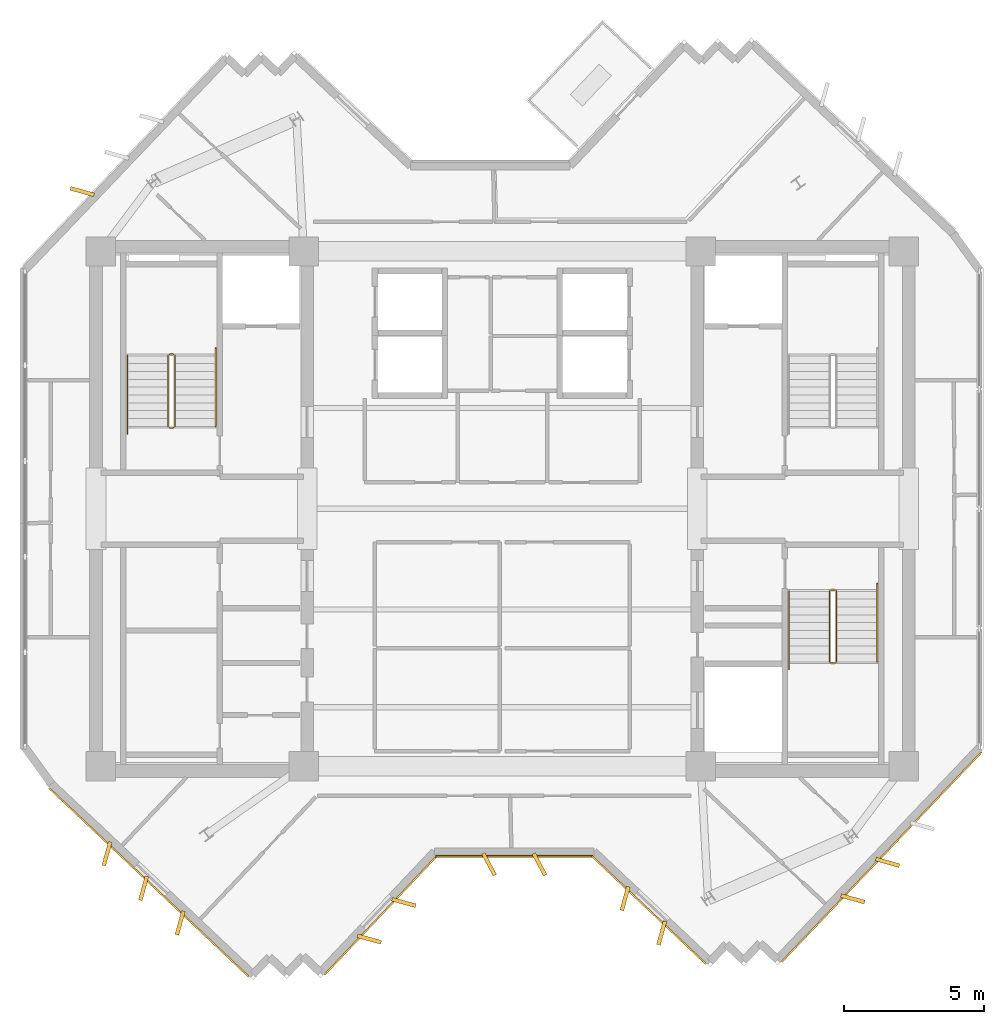
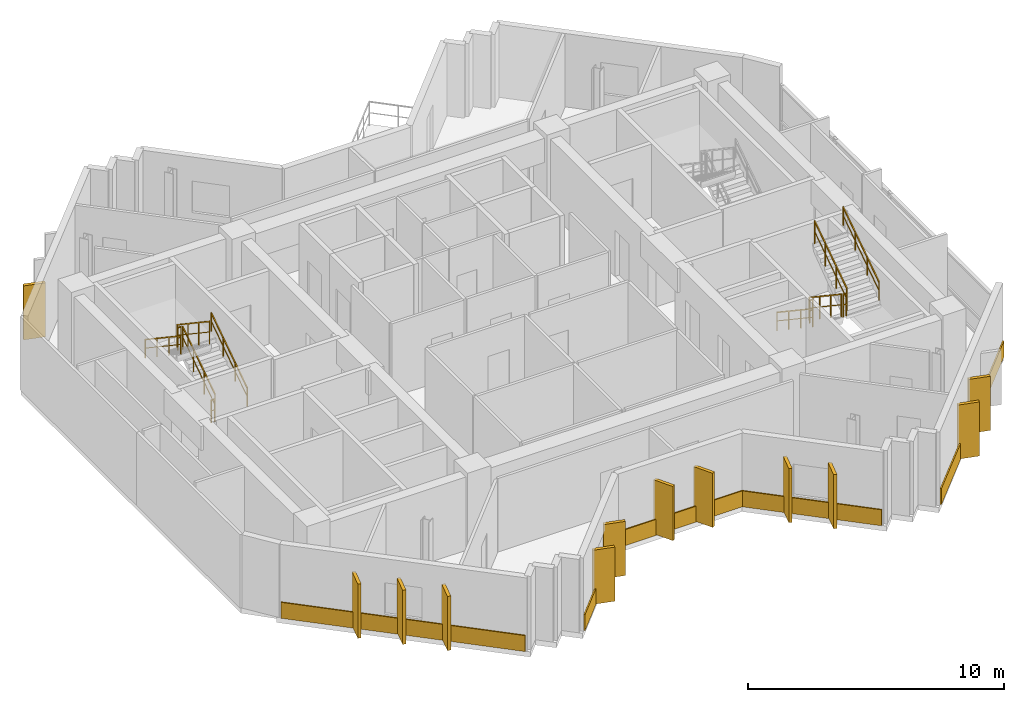
# One storey, part 8 of 9: 17 coverings, 12 railings.
"""IFC4 building model written with IfcOpenShell, lengths in metres."""

from ifc_helpers import new_model, si_unit, direction, frame, origin, origin_2d, place, context, subcontext, project, spatial, rectangle, extrude, source, transform, mapped, material, layer, layer_set, type_object, element, save


model = new_model("IFC4")

# Units and contexts
model_context = context("Model", 3, precision=1e-05, world=origin(), true_north=direction((0.0, 1.0)))
body_context = subcontext(model_context, "Body", "Model", "MODEL_VIEW")
ifc_project = project(units=[si_unit("LENGTHUNIT", "METRE"), si_unit("AREAUNIT", "SQUARE_METRE"), si_unit("VOLUMEUNIT", "CUBIC_METRE"), si_unit("PLANEANGLEUNIT", "RADIAN"), si_unit("MASSUNIT", "GRAM", prefix="KILO")], contexts=[model_context])

# Site, building, storey
site_placement = place(None, origin())
site = spatial("IfcSite", under=ifc_project, at=site_placement, CompositionType="ELEMENT")
building_placement = place(site_placement, origin())
building = spatial("IfcBuilding", under=site, at=building_placement, Name="Zahravan Cultural Tower", CompositionType="ELEMENT")
storey_placement = place(building_placement, frame((0.0, 0.0, 302.85009765625)))
storey = spatial("IfcBuildingStorey", under=building, at=storey_placement, Name="L73", CompositionType="ELEMENT", Elevation=302.85009765625)

# Railings
ifc_material_1 = material(Name="Steel ASTM A572 Grade 50", Category="steel")
railing_type_1 = type_object("IfcRailingType", Name="RL-STAIR-GRD1150", PredefinedType="BALUSTRADE", material=ifc_material_1)
railing_1_placement = place(storey_placement, frame((24.300048828125, 29.949951171875, 0.1875)))
element("IfcRailing", 1, at=railing_1_placement, inside=storey, type_object=railing_type_1, Name="L73 ST-W1 stair guard 1", PredefinedType="BALUSTRADE", context=body_context, shape_type="SweptSolid", body=[
    extrude(rectangle(XDim=0.05, YDim=0.05, at=origin_2d()), frame((0.0, 0.0, 1.0751953125), z_axis=(0.0, 0.830909170722, 0.55640807867), x_axis=(-1.0, 0.0, 0.0)), (0.0, 0.0, 1.0), 3.032958984375),
    extrude(rectangle(XDim=0.032, YDim=0.032, at=origin_2d()), frame((0.0, 0.0, 0.572021484375), z_axis=(0.0, 0.830909170722, 0.55640807867), x_axis=(-1.0, 0.0, 0.0)), (0.0, 0.0, 1.0), 3.032958984375),
    extrude(rectangle(XDim=0.04, YDim=0.04, at=origin_2d()), origin(), (0.0, 0.0, 1.0), 1.10009765625),
    extrude(rectangle(XDim=0.04, YDim=0.04, at=origin_2d()), frame((0.0, 0.840087890625, 0.5625)), (0.0, 0.0, 1.0), 1.10009765625),
    extrude(rectangle(XDim=0.04, YDim=0.04, at=origin_2d()), frame((0.0, 1.679931640625, 1.125)), (0.0, 0.0, 1.0), 1.10009765625),
    extrude(rectangle(XDim=0.04, YDim=0.04, at=origin_2d()), frame((0.0, 2.52001953125, 1.6875)), (0.0, 0.0, 1.0), 1.10009765625),
])
railing_2_placement = place(storey_placement, frame((24.25, 32.52001953125, 1.875)))
element("IfcRailing", 2, at=railing_2_placement, inside=storey, type_object=railing_type_1, Name="L73 ST-W1 stair guard 2", PredefinedType="BALUSTRADE", context=body_context, shape_type="SweptSolid", body=[
    extrude(rectangle(XDim=0.05, YDim=0.05, at=origin_2d()), frame((0.0, 0.0, 1.0751953125), z_axis=(-1.0, 0.0, 0.0), x_axis=(0.0, -1.0, 0.0)), (0.0, 0.0, 1.0), 0.14990234375),
    extrude(rectangle(XDim=0.032, YDim=0.032, at=origin_2d()), frame((0.0, 0.0, 0.572021484375), z_axis=(-1.0, 0.0, 0.0), x_axis=(0.0, -1.0, 0.0)), (0.0, 0.0, 1.0), 0.14990234375),
    extrude(rectangle(XDim=0.04, YDim=0.04, at=origin_2d()), origin(), (0.0, 0.0, 1.0), 1.10009765625),
    extrude(rectangle(XDim=0.04, YDim=0.04, at=origin_2d()), frame((-0.14990234375, 0.0, 0.0)), (0.0, 0.0, 1.0), 1.10009765625),
])
railing_3_placement = place(storey_placement, frame((24.050048828125, 32.469970703125, 2.0625)))
element("IfcRailing", 3, at=railing_3_placement, inside=storey, type_object=railing_type_1, Name="L73 ST-W1 stair guard 3", PredefinedType="BALUSTRADE", context=body_context, shape_type="SweptSolid", body=[
    extrude(rectangle(XDim=0.05, YDim=0.05, at=origin_2d()), frame((0.0, 0.0, 1.0751953125), z_axis=(0.0, -0.830909170722, 0.55640807867), x_axis=(1.0, 0.0, 0.0)), (0.0, 0.0, 1.0), 3.032958984375),
    extrude(rectangle(XDim=0.032, YDim=0.032, at=origin_2d()), frame((0.0, 0.0, 0.572021484375), z_axis=(0.0, -0.830909170722, 0.55640807867), x_axis=(1.0, 0.0, 0.0)), (0.0, 0.0, 1.0), 3.032958984375),
    extrude(rectangle(XDim=0.04, YDim=0.04, at=origin_2d()), origin(), (0.0, 0.0, 1.0), 1.10009765625),
    extrude(rectangle(XDim=0.04, YDim=0.04, at=origin_2d()), frame((0.0, -0.840087890625, 0.5625)), (0.0, 0.0, 1.0), 1.10009765625),
    extrude(rectangle(XDim=0.04, YDim=0.04, at=origin_2d()), frame((0.0, -1.679931640625, 1.125)), (0.0, 0.0, 1.0), 1.10009765625),
    extrude(rectangle(XDim=0.04, YDim=0.04, at=origin_2d()), frame((0.0, -2.52001953125, 1.6875)), (0.0, 0.0, 1.0), 1.10009765625),
])
railing_4_placement = place(storey_placement, frame((24.25, 29.89990234375, 0.0)))
element("IfcRailing", 4, at=railing_4_placement, inside=storey, type_object=railing_type_1, Name="L73 ST-W1 stair guard 4", PredefinedType="BALUSTRADE", context=body_context, shape_type="SweptSolid", body=[
    extrude(rectangle(XDim=0.05, YDim=0.05, at=origin_2d()), frame((0.0, 0.0, 1.0751953125), z_axis=(-1.0, 0.0, 0.0), x_axis=(0.0, -1.0, 0.0)), (0.0, 0.0, 1.0), 0.14990234375),
    extrude(rectangle(XDim=0.032, YDim=0.032, at=origin_2d()), frame((0.0, 0.0, 0.572021484375), z_axis=(-1.0, 0.0, 0.0), x_axis=(0.0, -1.0, 0.0)), (0.0, 0.0, 1.0), 0.14990234375),
    extrude(rectangle(XDim=0.04, YDim=0.04, at=origin_2d()), origin(), (0.0, 0.0, 1.0), 1.10009765625),
    extrude(rectangle(XDim=0.04, YDim=0.04, at=origin_2d()), frame((-0.14990234375, 0.0, 0.0)), (0.0, 0.0, 1.0), 1.10009765625),
])
railing_5_placement = place(storey_placement, frame((47.699951171875, 24.050048828125, 0.1875)))
element("IfcRailing", 5, at=railing_5_placement, inside=storey, type_object=railing_type_1, Name="L73 ST-E2 stair guard 1", PredefinedType="BALUSTRADE", context=body_context, shape_type="SweptSolid", body=[
    extrude(rectangle(XDim=0.05, YDim=0.05, at=origin_2d()), frame((0.0, 0.0, 1.0751953125), z_axis=(0.0, -0.830909170722, 0.55640807867), x_axis=(1.0, 0.0, 0.0)), (0.0, 0.0, 1.0), 3.032958984375),
    extrude(rectangle(XDim=0.032, YDim=0.032, at=origin_2d()), frame((0.0, 0.0, 0.572021484375), z_axis=(0.0, -0.830909170722, 0.55640807867), x_axis=(1.0, 0.0, 0.0)), (0.0, 0.0, 1.0), 3.032958984375),
    extrude(rectangle(XDim=0.04, YDim=0.04, at=origin_2d()), origin(), (0.0, 0.0, 1.0), 1.10009765625),
    extrude(rectangle(XDim=0.04, YDim=0.04, at=origin_2d()), frame((0.0, -0.840087890625, 0.5625)), (0.0, 0.0, 1.0), 1.10009765625),
    extrude(rectangle(XDim=0.04, YDim=0.04, at=origin_2d()), frame((0.0, -1.679931640625, 1.125)), (0.0, 0.0, 1.0), 1.10009765625),
    extrude(rectangle(XDim=0.04, YDim=0.04, at=origin_2d()), frame((0.0, -2.52001953125, 1.6875)), (0.0, 0.0, 1.0), 1.10009765625),
])
railing_6_placement = place(storey_placement, frame((47.75, 21.47998046875, 1.875)))
element("IfcRailing", 6, at=railing_6_placement, inside=storey, type_object=railing_type_1, Name="L73 ST-E2 stair guard 2", PredefinedType="BALUSTRADE", context=body_context, shape_type="SweptSolid", body=[
    extrude(rectangle(XDim=0.05, YDim=0.05, at=origin_2d()), frame((0.0, 0.0, 1.0751953125), z_axis=(1.0, 0.0, 0.0), x_axis=(0.0, 1.0, 0.0)), (0.0, 0.0, 1.0), 0.14990234375),
    extrude(rectangle(XDim=0.032, YDim=0.032, at=origin_2d()), frame((0.0, 0.0, 0.572021484375), z_axis=(1.0, 0.0, 0.0), x_axis=(0.0, 1.0, 0.0)), (0.0, 0.0, 1.0), 0.14990234375),
    extrude(rectangle(XDim=0.04, YDim=0.04, at=origin_2d()), origin(), (0.0, 0.0, 1.0), 1.10009765625),
    extrude(rectangle(XDim=0.04, YDim=0.04, at=origin_2d()), frame((0.14990234375, 0.0, 0.0)), (0.0, 0.0, 1.0), 1.10009765625),
])
railing_7_placement = place(storey_placement, frame((47.949951171875, 21.530029296875, 2.0625)))
element("IfcRailing", 7, at=railing_7_placement, inside=storey, type_object=railing_type_1, Name="L73 ST-E2 stair guard 3", PredefinedType="BALUSTRADE", context=body_context, shape_type="SweptSolid", body=[
    extrude(rectangle(XDim=0.05, YDim=0.05, at=origin_2d()), frame((0.0, 0.0, 1.0751953125), z_axis=(0.0, 0.830909170722, 0.55640807867), x_axis=(-1.0, 0.0, 0.0)), (0.0, 0.0, 1.0), 3.032958984375),
    extrude(rectangle(XDim=0.032, YDim=0.032, at=origin_2d()), frame((0.0, 0.0, 0.572021484375), z_axis=(0.0, 0.830909170722, 0.55640807867), x_axis=(-1.0, 0.0, 0.0)), (0.0, 0.0, 1.0), 3.032958984375),
    extrude(rectangle(XDim=0.04, YDim=0.04, at=origin_2d()), origin(), (0.0, 0.0, 1.0), 1.10009765625),
    extrude(rectangle(XDim=0.04, YDim=0.04, at=origin_2d()), frame((0.0, 0.840087890625, 0.5625)), (0.0, 0.0, 1.0), 1.10009765625),
    extrude(rectangle(XDim=0.04, YDim=0.04, at=origin_2d()), frame((0.0, 1.679931640625, 1.125)), (0.0, 0.0, 1.0), 1.10009765625),
    extrude(rectangle(XDim=0.04, YDim=0.04, at=origin_2d()), frame((0.0, 2.52001953125, 1.6875)), (0.0, 0.0, 1.0), 1.10009765625),
])
railing_8_placement = place(storey_placement, frame((47.75, 24.10009765625, 0.0)))
element("IfcRailing", 8, at=railing_8_placement, inside=storey, type_object=railing_type_1, Name="L73 ST-E2 stair guard 4", PredefinedType="BALUSTRADE", context=body_context, shape_type="SweptSolid", body=[
    extrude(rectangle(XDim=0.05, YDim=0.05, at=origin_2d()), frame((0.0, 0.0, 1.0751953125), z_axis=(1.0, 0.0, 0.0), x_axis=(0.0, 1.0, 0.0)), (0.0, 0.0, 1.0), 0.14990234375),
    extrude(rectangle(XDim=0.032, YDim=0.032, at=origin_2d()), frame((0.0, 0.0, 0.572021484375), z_axis=(1.0, 0.0, 0.0), x_axis=(0.0, 1.0, 0.0)), (0.0, 0.0, 1.0), 0.14990234375),
    extrude(rectangle(XDim=0.04, YDim=0.04, at=origin_2d()), origin(), (0.0, 0.0, 1.0), 1.10009765625),
    extrude(rectangle(XDim=0.04, YDim=0.04, at=origin_2d()), frame((0.14990234375, 0.0, 0.0)), (0.0, 0.0, 1.0), 1.10009765625),
])
railing_type_2 = type_object("IfcRailingType", Name="RL-STAIR-HR900", PredefinedType="HANDRAIL", material=ifc_material_1)
railing_9_placement = place(storey_placement, frame((25.75, 29.949951171875, 0.1875)))
element("IfcRailing", 9, at=railing_9_placement, inside=storey, type_object=railing_type_2, Name="L73 ST-W1 stair handrail 1", PredefinedType="HANDRAIL", context=body_context, shape_type="SweptSolid", body=[
    extrude(rectangle(XDim=0.05, YDim=0.05, at=origin_2d()), frame((0.0, 0.0, 0.875), z_axis=(0.0, 0.830911662861, 0.55640435703), x_axis=(-1.0, 0.0, 0.0)), (0.0, 0.0, 1.0), 3.369873046875),
    extrude(rectangle(XDim=0.032, YDim=0.032, at=origin_2d()), frame((0.0, 0.0, 0.468017578125), z_axis=(0.0, 0.830911662861, 0.55640435703), x_axis=(-1.0, 0.0, 0.0)), (0.0, 0.0, 1.0), 3.369873046875),
    extrude(rectangle(XDim=0.04, YDim=0.04, at=origin_2d()), origin(), (0.0, 0.0, 1.0), 0.89990234375),
    extrude(rectangle(XDim=0.04, YDim=0.04, at=origin_2d()), frame((0.0, 0.933349609375, 0.625)), (0.0, 0.0, 1.0), 0.89990234375),
    extrude(rectangle(XDim=0.04, YDim=0.04, at=origin_2d()), frame((0.0, 1.86669921875, 1.25)), (0.0, 0.0, 1.0), 0.89990234375),
    extrude(rectangle(XDim=0.04, YDim=0.04, at=origin_2d()), frame((0.0, 2.800048828125, 1.875)), (0.0, 0.0, 1.0), 0.89990234375),
])
for number, where, name in (
    (10, (22.60009765625, 32.469970703125, 2.0625), "L73 ST-W1 stair handrail 2"),
    (11, (46.25, 24.050048828125, 0.1875), "L73 ST-E2 stair handrail 1"),
):
    element("IfcRailing", number, at=place(storey_placement, frame(where)), inside=storey, type_object=railing_type_2, Name=name, PredefinedType="HANDRAIL", context=body_context, shape_type="SweptSolid", body=[
        extrude(rectangle(XDim=0.05, YDim=0.05, at=origin_2d()), frame((0.0, 0.0, 0.875), z_axis=(0.0, -0.830911662861, 0.55640435703), x_axis=(1.0, 0.0, 0.0)), (0.0, 0.0, 1.0), 3.369873046875),
        extrude(rectangle(XDim=0.032, YDim=0.032, at=origin_2d()), frame((0.0, 0.0, 0.468017578125), z_axis=(0.0, -0.830911662861, 0.55640435703), x_axis=(1.0, 0.0, 0.0)), (0.0, 0.0, 1.0), 3.369873046875),
        extrude(rectangle(XDim=0.04, YDim=0.04, at=origin_2d()), origin(), (0.0, 0.0, 1.0), 0.89990234375),
        extrude(rectangle(XDim=0.04, YDim=0.04, at=origin_2d()), frame((0.0, -0.933349609375, 0.625)), (0.0, 0.0, 1.0), 0.89990234375),
        extrude(rectangle(XDim=0.04, YDim=0.04, at=origin_2d()), frame((0.0, -1.86669921875, 1.25)), (0.0, 0.0, 1.0), 0.89990234375),
        extrude(rectangle(XDim=0.04, YDim=0.04, at=origin_2d()), frame((0.0, -2.800048828125, 1.875)), (0.0, 0.0, 1.0), 0.89990234375),
    ])
railing_10_placement = place(storey_placement, frame((49.39990234375, 21.530029296875, 2.0625)))
element("IfcRailing", 12, at=railing_10_placement, inside=storey, type_object=railing_type_2, Name="L73 ST-E2 stair handrail 2", PredefinedType="HANDRAIL", context=body_context, shape_type="SweptSolid", body=[
    extrude(rectangle(XDim=0.05, YDim=0.05, at=origin_2d()), frame((0.0, 0.0, 0.875), z_axis=(0.0, 0.830911662861, 0.55640435703), x_axis=(-1.0, 0.0, 0.0)), (0.0, 0.0, 1.0), 3.369873046875),
    extrude(rectangle(XDim=0.032, YDim=0.032, at=origin_2d()), frame((0.0, 0.0, 0.468017578125), z_axis=(0.0, 0.830911662861, 0.55640435703), x_axis=(-1.0, 0.0, 0.0)), (0.0, 0.0, 1.0), 3.369873046875),
    extrude(rectangle(XDim=0.04, YDim=0.04, at=origin_2d()), origin(), (0.0, 0.0, 1.0), 0.89990234375),
    extrude(rectangle(XDim=0.04, YDim=0.04, at=origin_2d()), frame((0.0, 0.933349609375, 0.625)), (0.0, 0.0, 1.0), 0.89990234375),
    extrude(rectangle(XDim=0.04, YDim=0.04, at=origin_2d()), frame((0.0, 1.86669921875, 1.25)), (0.0, 0.0, 1.0), 0.89990234375),
    extrude(rectangle(XDim=0.04, YDim=0.04, at=origin_2d()), frame((0.0, 2.800048828125, 1.875)), (0.0, 0.0, 1.0), 0.89990234375),
])

# Coverings
ifc_material_2 = material(Name="Terracotta ceramic cladding", Category="masonry")
ifc_layer = layer(ifc_material_2, 0.06005859375)
ifc_layer_set = layer_set([ifc_layer], Name="Terracotta ceramic cladding")
covering_type = type_object("IfcCoveringType", Name="COV-CLAD-TC60", PredefinedType="CLADDING", material=ifc_layer_set)
shared_shape_1 = source(origin(), body_context, "Body", "SweptSolid", [
    extrude(rectangle(XDim=9.820068359375, YDim=0.06005859375, at=origin_2d()), origin(), (0.0, 0.0, 1.0), 0.760009765625),
])
covering_1_placement = place(storey_placement, frame((23.371826171875, 13.63818359375, 0.02001953125), z_axis=(0.0, 0.0, 1.0), x_axis=(-0.726766513668, 0.686884586092, 0.0)))
element("IfcCovering", 13, at=covering_1_placement, inside=storey, type_object=covering_type, Name="L73 Terracotta Spandrel Cladding 20", PredefinedType="CLADDING", context=body_context, shape_type="MappedRepresentation", body=[
    mapped(shared_shape_1, transform((0.0, 0.0, 0.0), x_axis=(1.0, 0.0, 0.0), y_axis=(0.0, 1.0, 0.0), z_axis=(0.0, 0.0, 1.0), scale=1.0)),
])
shared_shape_2 = source(origin(), body_context, "Body", "SweptSolid", [
    extrude(rectangle(XDim=0.8798828125, YDim=0.139892578125, at=origin_2d()), origin(), (0.0, 0.0, 1.0), 2.580078125),
])
for number, where, z_axis, x_axis, name in (
    (14, (49.773193359375, 14.358642578125, 0.0498046875), (0.0, 0.0, 1.0), (0.962998113332, -0.269508132935, 0.0), "L73 Herringbone Terracotta Fin 05"),
    (15, (48.531005859375, 13.055908203125, 0.0498046875), (0.0, 0.0, 1.0), (0.962998113332, -0.269508132935, 0.0), "L73 Herringbone Terracotta Fin 06"),
    (16, (41.698974609375, 11.8310546875, 0.0498046875), (0.0, 0.0, 1.0), (-0.26528688091, -0.9641695239, 0.0), "L73 Herringbone Terracotta Fin 07"),
    (17, (40.390625, 13.0673828125, 0.0498046875), (0.0, 0.0, 1.0), (-0.26528688091, -0.9641695239, 0.0), "L73 Herringbone Terracotta Fin 08"),
    (18, (37.326416015625, 14.2900390625, 0.0498046875), (0.0, 0.0, 1.0), (0.469471562786, -0.882947592859, 0.0), "L73 Herringbone Terracotta Fin 09"),
    (19, (35.5263671875, 14.2900390625, 0.0498046875), (0.0, 0.0, 1.0), (0.469471562786, -0.882947592859, 0.0), "L73 Herringbone Terracotta Fin 10"),
    (20, (32.480224609375, 12.924560546875, 0.0498046875), (0.0, 0.0, 1.0), (0.964174153882, -0.265270052937, 0.0), "L73 Herringbone Terracotta Fin 11"),
    (21, (31.243896484375, 11.616455078125, 0.0498046875), (0.0, 0.0, 1.0), (0.964174153882, -0.265270052937, 0.0), "L73 Herringbone Terracotta Fin 12"),
    (22, (24.484130859375, 12.194580078125, 0.0498046875), (0.0, 0.0, 1.0), (-0.26528688091, -0.9641695239, 0.0), "L73 Herringbone Terracotta Fin 13"),
    (23, (23.176025390625, 13.43115234375, 0.0498046875), (0.0, 0.0, 1.0), (-0.26528688091, -0.9641695239, 0.0), "L73 Herringbone Terracotta Fin 14"),
    (24, (21.867919921875, 14.66748046875, 0.0498046875), (0.0, 0.0, 1.0), (-0.26528688091, -0.9641695239, 0.0), "L73 Herringbone Terracotta Fin 15"),
    (25, (20.984619140625, 38.338623046875, 0.0498046875), (0.0, 0.0, 1.0), (-0.962998113332, 0.269508132935, 0.0), "L73 Herringbone Terracotta Fin 16"),
):
    element("IfcCovering", number, at=place(storey_placement, frame(where, z_axis=z_axis, x_axis=x_axis)), inside=storey, type_object=covering_type, Name=name, PredefinedType="CLADDING", context=body_context, shape_type="MappedRepresentation", body=[
        mapped(shared_shape_2, transform((0.0, 0.0, 0.0), x_axis=(1.0, 0.0, 0.0), y_axis=(0.0, 1.0, 0.0), z_axis=(0.0, 0.0, 1.0), scale=1.0)),
    ])
shared_shape_3 = source(origin(), body_context, "Body", "SweptSolid", [
    extrude(rectangle(XDim=5.84521484375, YDim=0.06005859375, at=origin_2d()), origin(), (0.0, 0.0, 1.0), 0.760009765625),
])
covering_2_placement = place(storey_placement, frame((31.65478515625, 12.46630859375, 0.02001953125), z_axis=(0.0, 0.0, 1.0), x_axis=(-0.686871901519, -0.726778501955, 0.0)))
element("IfcCovering", 26, at=covering_2_placement, inside=storey, type_object=covering_type, Name="L73 Terracotta Spandrel Cladding 15", PredefinedType="CLADDING", context=body_context, shape_type="MappedRepresentation", body=[
    mapped(shared_shape_3, transform((0.0, 0.0, 0.0), x_axis=(1.0, 0.0, 0.0), y_axis=(0.0, 1.0, 0.0), z_axis=(0.0, 0.0, 1.0), scale=1.0)),
])
shared_shape_4 = source(origin(), body_context, "Body", "SweptSolid", [
    extrude(rectangle(XDim=10.3701171875, YDim=0.06005859375, at=origin_2d()), origin(), (0.0, 0.0, 1.0), 0.760009765625),
])
covering_3_placement = place(storey_placement, frame((49.56689453125, 14.555419921875, 0.02001953125), z_axis=(0.0, 0.0, 1.0), x_axis=(-0.690061786457, -0.723750461742, 0.0)))
element("IfcCovering", 27, at=covering_3_placement, inside=storey, type_object=covering_type, Name="L73 Terracotta Spandrel Cladding 08", PredefinedType="CLADDING", context=body_context, shape_type="MappedRepresentation", body=[
    mapped(shared_shape_4, transform((0.0, 0.0, 0.0), x_axis=(1.0, 0.0, 0.0), y_axis=(0.0, 1.0, 0.0), z_axis=(0.0, 0.0, 1.0), scale=1.0)),
])
shared_shape_5 = source(origin(), body_context, "Body", "SweptSolid", [
    extrude(rectangle(XDim=5.617919921875, YDim=0.06005859375, at=origin_2d()), origin(), (0.0, 0.0, 1.0), 0.760009765625),
])
covering_4_placement = place(storey_placement, frame((41.240478515625, 12.65625, 0.02001953125), z_axis=(0.0, 0.0, 1.0), x_axis=(-0.726766513668, 0.686884586092, 0.0)))
element("IfcCovering", 28, at=covering_4_placement, inside=storey, type_object=covering_type, Name="L73 Terracotta Spandrel Cladding 13", PredefinedType="CLADDING", context=body_context, shape_type="MappedRepresentation", body=[
    mapped(shared_shape_5, transform((0.0, 0.0, 0.0), x_axis=(1.0, 0.0, 0.0), y_axis=(0.0, 1.0, 0.0), z_axis=(0.0, 0.0, 1.0), scale=1.0)),
])
shared_shape_6 = source(origin(), body_context, "Body", "SweptSolid", [
    extrude(rectangle(XDim=5.599365234375, YDim=0.06005859375, at=origin_2d()), origin(), (0.0, 0.0, 1.0), 0.760009765625),
])
covering_5_placement = place(storey_placement, frame((36.426513671875, 14.574951171875, 0.02001953125), z_axis=(0.0, 0.0, 1.0), x_axis=(-1.0, 0.0, 0.0)))
element("IfcCovering", 29, at=covering_5_placement, inside=storey, type_object=covering_type, Name="L73 Terracotta Spandrel Cladding 14", PredefinedType="CLADDING", context=body_context, shape_type="MappedRepresentation", body=[
    mapped(shared_shape_6, transform((0.0, 0.0, 0.0), x_axis=(1.0, 0.0, 0.0), y_axis=(0.0, 1.0, 0.0), z_axis=(0.0, 0.0, 1.0), scale=1.0)),
])

save(model, "model.ifc")
